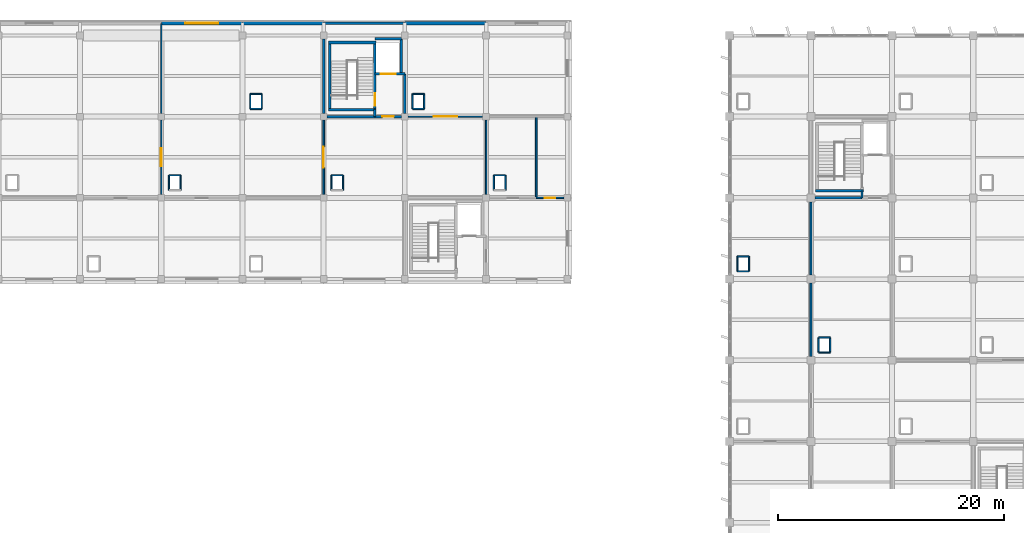
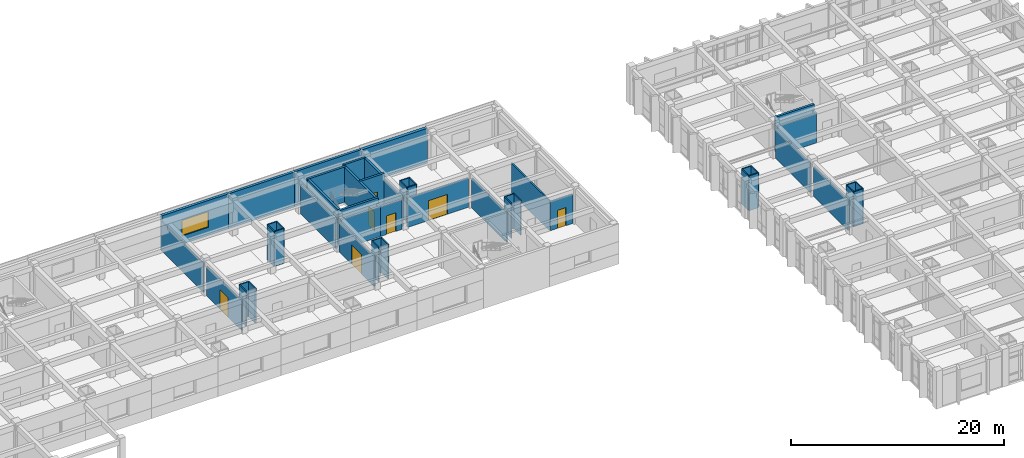
# One storey, part 58 of 70: 53 walls, 7 doors, 1 window, 8 openings.
"""IFC4 building model written with IfcOpenShell, lengths in metres."""

from ifc_helpers import new_model, si_unit, direction, frame, frame_2d, origin, place, context, subcontext, project, spatial, rectangle, extrude, material, layer, layer_set, type_object, element, fill, save


model = new_model("IFC4")

# Units and contexts
model_context = context("Model", 3, precision=1e-05, world=origin(), true_north=direction((0.0, 1.0)))
body_context = subcontext(model_context, "Body", "Model", "MODEL_VIEW")
ifc_project = project(units=[si_unit("LENGTHUNIT", "METRE"), si_unit("AREAUNIT", "SQUARE_METRE"), si_unit("VOLUMEUNIT", "CUBIC_METRE"), si_unit("PLANEANGLEUNIT", "RADIAN"), si_unit("MASSUNIT", "GRAM", prefix="KILO")], contexts=[model_context])

# Site, building, storey
site_placement = place(None, origin())
site = spatial("IfcSite", under=ifc_project, at=site_placement, CompositionType="ELEMENT")
building_placement = place(site_placement, origin())
building = spatial("IfcBuilding", under=site, at=building_placement, Name="Kavelor Marine Aquarium", CompositionType="ELEMENT")
storey_placement = place(building_placement, frame((0.0, 0.0, 9.179931640625)))
storey = spatial("IfcBuildingStorey", under=building, at=storey_placement, Name="L02", CompositionType="ELEMENT", Elevation=9.179931640625)

# Wall, opening, window
ifc_material_1 = material(Name="Concrete C40/50", Category="concrete")
ifc_layer_1 = layer(ifc_material_1, 0.300048828125)
ifc_layer_set_1 = layer_set([ifc_layer_1], Name="WL-EX3")
wall_type_1 = type_object("IfcWallType", Name="WL-EX3", PredefinedType="STANDARD", material=ifc_layer_set_1)
wall_1_placement = place(storey_placement, frame((68.0, 111.8798828125, 0.0), z_axis=(0.0, 0.0, 1.0), x_axis=(1.0, 0.0, 0.0)))
wall_1 = element("IfcWall", 1, at=wall_1_placement, inside=storey, type_object=wall_type_1, Name="ew:x:L02:09_15", PredefinedType="STANDARD", context=body_context, shape_type="SweptSolid", body=[
    extrude(rectangle(XDim=7.199951171875, YDim=0.300048828125, at=frame_2d((3.60009765625, 0.0))), origin(), (0.0, 0.0, 1.0), 4.030029296875),
])
opening_1_placement = place(wall_1_placement, frame((2.14990234375, 0.0, 0.949951171875)))
opening_1 = element("IfcOpeningElement", 2, at=opening_1_placement, cuts=wall_1, Name="Opening W19", PredefinedType="OPENING", context=body_context, shape_type="SweptSolid", body=[
    extrude(rectangle(XDim=2.89990234375, YDim=1.800048828125, at=frame_2d((1.449951171875, 0.89990234375))), frame((0.0, 0.159912109375, 0.0), z_axis=(0.0, -1.0, 0.0), x_axis=(1.0, 0.0, 0.0)), (0.0, 0.0, 1.0), 0.320049),
])
ifc_material_2 = material(Name="Anodised Aluminium Frame with Low-E Double Glazing", Category="aluminium")
window_type = type_object("IfcWindowType", Name="WIN-W19", PartitioningType="DOUBLE_PANEL_VERTICAL", PredefinedType="WINDOW", material=ifc_material_2)
window_placement = place(opening_1_placement, origin())
window = element("IfcWindow", 3, at=window_placement, inside=storey, type_object=window_type, Name="win:x:L02:09_15", OverallHeight=1.800048828125, OverallWidth=2.89990234375, PartitioningType="SINGLE_PANEL", PredefinedType="WINDOW", context=body_context, shape_type="SweptSolid", body=[
    extrude(rectangle(XDim=2.89990234375, YDim=1.800048828125, at=frame_2d((1.449951171875, 0.89990234375))), frame((0.0, 0.030029296875, 0.0), z_axis=(0.0, -1.0, 0.0), x_axis=(1.0, 0.0, 0.0)), (0.0, 0.0, 1.0), 0.06005859375),
])
fill(opening_1, window)

# Walls
ifc_material_3 = material(Name="Concrete C40/50", Category="concrete")
ifc_layer_2 = layer(ifc_material_3, 0.280029296875)
ifc_layer_set_2 = layer_set([ifc_layer_2], Name="WL-EX4")
wall_type_2 = type_object("IfcWallType", Name="WL-EX4", PredefinedType="STANDARD", material=ifc_layer_set_2)
wall_2_placement = place(storey_placement, frame((75.199951171875, 111.8798828125, 0.0), z_axis=(0.0, 0.0, 1.0), x_axis=(1.0, 0.0, 0.0)))
element("IfcWall", 4, at=wall_2_placement, inside=storey, type_object=wall_type_2, Name="ew:x:L02:10_15", PredefinedType="STANDARD", context=body_context, shape_type="SweptSolid", body=[
    extrude(rectangle(XDim=7.199951171875, YDim=0.280029296875, at=frame_2d((3.60009765625, 0.0))), origin(), (0.0, 0.0, 1.0), 4.010009765625),
])
ifc_material_4 = material(Name="Concrete C40/50", Category="concrete")
ifc_layer_3 = layer(ifc_material_4, 0.260009765625)
ifc_layer_set_3 = layer_set([ifc_layer_3], Name="WL-EX5")
wall_type_3 = type_object("IfcWallType", Name="WL-EX5", PredefinedType="STANDARD", material=ifc_layer_set_3)
wall_3_placement = place(storey_placement, frame((82.39990234375, 111.8798828125, 0.0), z_axis=(0.0, 0.0, 1.0), x_axis=(1.0, 0.0, 0.0)))
element("IfcWall", 5, at=wall_3_placement, inside=storey, type_object=wall_type_3, Name="ew:x:L02:11_15", PredefinedType="STANDARD", context=body_context, shape_type="SweptSolid", body=[
    extrude(rectangle(XDim=7.2001953125, YDim=0.260009765625, at=frame_2d((3.60009765625, 0.0))), origin(), (0.0, 0.0, 1.0), 4.030029296875),
])
ifc_material_5 = material(Name="Concrete C45/55", Category="concrete")
ifc_layer_4 = layer(ifc_material_5, 0.340087890625)
ifc_layer_set_4 = layer_set([ifc_layer_4], Name="WL-EX6")
wall_type_4 = type_object("IfcWallType", Name="WL-EX6", PredefinedType="STANDARD", material=ifc_layer_set_4)
wall_4_placement = place(storey_placement, frame((89.60009765625, 111.8798828125, 0.0), z_axis=(0.0, 0.0, 1.0), x_axis=(1.0, 0.0, 0.0)))
element("IfcWall", 6, at=wall_4_placement, inside=storey, type_object=wall_type_4, Name="ew:x:L02:12_15", PredefinedType="STANDARD", context=body_context, shape_type="SweptSolid", body=[
    extrude(rectangle(XDim=7.199951171875, YDim=0.340087890625, at=frame_2d((3.60009765625, 0.0))), origin(), (0.0, 0.0, 1.0), 4.010009765625),
])
ifc_material_6 = material(Name="Concrete Blockwork Partition", Category="masonry")
ifc_layer_5 = layer(ifc_material_6, 0.199951171875)
ifc_layer_set_5 = layer_set([ifc_layer_5], Name="WL-PT1")
wall_type_5 = type_object("IfcWallType", Name="WL-PT1", PredefinedType="PARTITIONING", material=ifc_layer_set_5)
wall_5_placement = place(storey_placement, frame((86.93994140625, 103.60009765625, 0.0), z_axis=(0.0, 0.0, 1.0), x_axis=(0.0, 1.0, 0.0)))
element("IfcWall", 7, at=wall_5_placement, inside=storey, type_object=wall_type_5, Name="pt:st_close:s:C06:L02", PredefinedType="PARTITIONING", context=body_context, shape_type="SweptSolid", body=[
    extrude(rectangle(XDim=0.619873046875, YDim=0.199951171875, at=frame_2d((0.31005859375, 0.0))), origin(), (0.0, 0.0, 1.0), 3.41015625),
])
wall_6_placement = place(storey_placement, frame((82.39990234375, 103.89990234375, 0.0), z_axis=(0.0, 0.0, 1.0), x_axis=(0.0, 1.0, 0.0)))
element("IfcWall", 8, at=wall_6_placement, inside=storey, type_object=wall_type_5, Name="pt:lob:C06:L02:w", PredefinedType="PARTITIONING", context=body_context, shape_type="SweptSolid", body=[
    extrude(rectangle(XDim=6.60009765625, YDim=0.199951171875, at=frame_2d((3.300048828125, 0.0))), origin(), (0.0, 0.0, 1.0), 3.360107421875),
])
wall_7_placement = place(storey_placement, frame((89.60009765625, 103.89990234375, 0.0), z_axis=(0.0, 0.0, 1.0), x_axis=(0.0, 1.0, 0.0)))
element("IfcWall", 9, at=wall_7_placement, inside=storey, type_object=wall_type_5, Name="pt:lob:C06:L02:e", PredefinedType="PARTITIONING", context=body_context, shape_type="SweptSolid", body=[
    extrude(rectangle(XDim=3.5, YDim=0.199951171875, at=frame_2d((1.75, 0.0))), origin(), (0.0, 0.0, 1.0), 3.360107421875),
])
wall_8_placement = place(storey_placement, frame((82.699951171875, 103.60009765625, 0.0), z_axis=(0.0, 0.0, 1.0), x_axis=(1.0, 0.0, 0.0)))
element("IfcWall", 10, at=wall_8_placement, inside=storey, type_object=wall_type_5, Name="pt:lob:C06:L02:s_st", PredefinedType="PARTITIONING", context=body_context, shape_type="SweptSolid", body=[
    extrude(rectangle(XDim=4.239990234375, YDim=0.199951171875, at=frame_2d((2.1201171875, 0.0))), origin(), (0.0, 0.0, 1.0), 3.41015625),
])

# Wall, opening, door
wall_9_placement = place(storey_placement, frame((86.93994140625, 103.60009765625, 0.0), z_axis=(0.0, 0.0, 1.0), x_axis=(1.0, 0.0, 0.0)))
wall_9 = element("IfcWall", 11, at=wall_9_placement, inside=storey, type_object=wall_type_5, Name="pt:lob:C06:L02:s", PredefinedType="PARTITIONING", context=body_context, shape_type="SweptSolid", body=[
    extrude(rectangle(XDim=2.360107421875, YDim=0.199951171875, at=frame_2d((1.18017578125, 0.0))), origin(), (0.0, 0.0, 1.0), 3.41015625),
])
opening_2_placement = place(wall_9_placement, frame((0.669921875, 0.0, 0.0)))
opening_2 = element("IfcOpeningElement", 12, at=opening_2_placement, cuts=wall_9, Name="Opening SD1", PredefinedType="OPENING", context=body_context, shape_type="SweptSolid", body=[
    extrude(rectangle(XDim=1.02001953125, YDim=2.14990234375, at=frame_2d((0.510009765625, 1.074951171875))), frame((0.0, 0.10986328125, 0.0), z_axis=(0.0, -1.0, 0.0), x_axis=(1.0, 0.0, 0.0)), (0.0, 0.0, 1.0), 0.219951),
])
ifc_material_7 = material(Name="Fire-Rated Corridor Compartment Door")
door_type_1 = type_object("IfcDoorType", Name="DR-SD1", OperationType="NOTDEFINED", PredefinedType="DOOR", material=ifc_material_7)
door_1_placement = place(opening_2_placement, origin())
door_1 = element("IfcDoor", 13, at=door_1_placement, inside=storey, type_object=door_type_1, Name="Core Lobby Fire Door C06-L02", OperationType="SINGLE_SWING_RIGHT", OverallHeight=2.14990234375, OverallWidth=1.02001953125, PredefinedType="DOOR", context=body_context, shape_type="SweptSolid", body=[
    extrude(rectangle(XDim=1.02001953125, YDim=2.14990234375, at=frame_2d((0.510009765625, 1.074951171875))), frame((0.0, 0.02490234375, 0.0), z_axis=(0.0, -1.0, 0.0), x_axis=(1.0, 0.0, 0.0)), (0.0, 0.0, 1.0), 0.050048828125),
])
fill(opening_2, door_1)

# Walls
wall_10_placement = place(storey_placement, frame((130.139892578125, 96.39990234375, 0.0), z_axis=(0.0, 0.0, 1.0), x_axis=(0.0, 1.0, 0.0)))
element("IfcWall", 14, at=wall_10_placement, inside=storey, type_object=wall_type_5, Name="pt:st_close:s:C10:L02", PredefinedType="PARTITIONING", context=body_context, shape_type="SweptSolid", body=[
    extrude(rectangle(XDim=0.6201171875, YDim=0.199951171875, at=frame_2d((0.31005859375, 0.0))), origin(), (0.0, 0.0, 1.0), 3.360107421875),
])
wall_11_placement = place(storey_placement, frame((125.949951171875, 96.39990234375, 0.0), z_axis=(0.0, 0.0, 1.0), x_axis=(1.0, 0.0, 0.0)))
element("IfcWall", 15, at=wall_11_placement, inside=storey, type_object=wall_type_5, Name="pt:lob:C10:L02:s_st", PredefinedType="PARTITIONING", context=body_context, shape_type="SweptSolid", body=[
    extrude(rectangle(XDim=4.18994140625, YDim=0.199951171875, at=frame_2d((2.094970703125, 0.0))), origin(), (0.0, 0.0, 1.0), 3.360107421875),
])

# Wall, opening, door
ifc_material_8 = material(Name="Acoustic Gypsum Stud Partition")
ifc_layer_6 = layer(ifc_material_8, 0.159912109375)
ifc_layer_set_6 = layer_set([ifc_layer_6], Name="WL-PT2")
wall_type_6 = type_object("IfcWallType", Name="WL-PT2", PredefinedType="PARTITIONING", material=ifc_layer_set_6)
wall_12_placement = place(storey_placement, frame((82.39990234375, 96.699951171875, 0.0), z_axis=(0.0, 0.0, 1.0), x_axis=(0.0, 1.0, 0.0)))
wall_12 = element("IfcWall", 16, at=wall_12_placement, inside=storey, type_object=wall_type_6, Name="pt:y:L02:10_13", PredefinedType="PARTITIONING", context=body_context, shape_type="SweptSolid", body=[
    extrude(rectangle(XDim=6.60009765625, YDim=0.159912109375, at=frame_2d((3.300048828125, 0.0))), origin(), (0.0, 0.0, 1.0), 3.41015625),
])
opening_3_placement = place(wall_12_placement, frame((2.3701171875, 0.0, 0.0)))
opening_3 = element("IfcOpeningElement", 17, at=opening_3_placement, cuts=wall_12, Name="Opening D13", PredefinedType="OPENING", context=body_context, shape_type="SweptSolid", body=[
    extrude(rectangle(XDim=1.860107421875, YDim=2.260009765625, at=frame_2d((0.93017578125, 1.1298828125))), frame((0.0, 0.08984375, 0.0), z_axis=(0.0, -1.0, 0.0), x_axis=(1.0, 0.0, 0.0)), (0.0, 0.0, 1.0), 0.179912),
])
ifc_material_9 = material(Name="Main Foyer Exhibition Double Door")
door_type_2 = type_object("IfcDoorType", Name="DR-D13", OperationType="NOTDEFINED", PredefinedType="DOOR", material=ifc_material_9)
door_2_placement = place(opening_3_placement, origin())
door_2 = element("IfcDoor", 18, at=door_2_placement, inside=storey, type_object=door_type_2, Name="dr:rm:pt:y:L02:10_13:1", OperationType="DOUBLE_DOOR_SINGLE_SWING", OverallHeight=2.260009765625, OverallWidth=1.860107421875, PredefinedType="DOOR", context=body_context, shape_type="SweptSolid", body=[
    extrude(rectangle(XDim=1.860107421875, YDim=2.260009765625, at=frame_2d((0.93017578125, 1.1298828125))), frame((0.0, 0.02490234375, 0.0), z_axis=(0.0, -1.0, 0.0), x_axis=(1.0, 0.0, 0.0)), (0.0, 0.0, 1.0), 0.050048828125),
])
fill(opening_3, door_2)

wall_13_placement = place(storey_placement, frame((89.89990234375, 103.60009765625, 0.0), z_axis=(0.0, 0.0, 1.0), x_axis=(1.0, 0.0, 0.0)))
wall_13 = element("IfcWall", 19, at=wall_13_placement, inside=storey, type_object=wall_type_6, Name="pt:x:L02:12_13", PredefinedType="PARTITIONING", context=body_context, shape_type="SweptSolid", body=[
    extrude(rectangle(XDim=6.60009765625, YDim=0.159912109375, at=frame_2d((3.300048828125, 0.0))), origin(), (0.0, 0.0, 1.0), 3.360107421875),
])
opening_4_placement = place(wall_13_placement, frame((2.27001953125, 0.0, 0.0)))
opening_4 = element("IfcOpeningElement", 20, at=opening_4_placement, cuts=wall_13, Name="Opening D14", PredefinedType="OPENING", context=body_context, shape_type="SweptSolid", body=[
    extrude(rectangle(XDim=2.06005859375, YDim=2.280029296875, at=frame_2d((1.030029296875, 1.14013671875))), frame((0.0, 0.08984375, 0.0), z_axis=(0.0, -1.0, 0.0), x_axis=(1.0, 0.0, 0.0)), (0.0, 0.0, 1.0), 0.179912),
])
ifc_material_10 = material(Name="LSS Filtration Equipment Double Door")
door_type_3 = type_object("IfcDoorType", Name="DR-D14", OperationType="NOTDEFINED", PredefinedType="DOOR", material=ifc_material_10)
door_3_placement = place(opening_4_placement, origin())
door_3 = element("IfcDoor", 21, at=door_3_placement, inside=storey, type_object=door_type_3, Name="dr:rm:pt:x:L02:12_13:0", OperationType="DOUBLE_DOOR_SINGLE_SWING", OverallHeight=2.280029296875, OverallWidth=2.06005859375, PredefinedType="DOOR", context=body_context, shape_type="SweptSolid", body=[
    extrude(rectangle(XDim=2.06005859375, YDim=2.280029296875, at=frame_2d((1.030029296875, 1.14013671875))), frame((0.0, 0.02490234375, 0.0), z_axis=(0.0, -1.0, 0.0), x_axis=(1.0, 0.0, 0.0)), (0.0, 0.0, 1.0), 0.050048828125),
])
fill(opening_4, door_3)

# Walls
wall_14_placement = place(storey_placement, frame((125.60009765625, 82.35009765625, 0.0), z_axis=(0.0, 0.0, 1.0), x_axis=(0.0, 1.0, 0.0)))
element("IfcWall", 22, at=wall_14_placement, inside=storey, type_object=wall_type_6, Name="pt:y:L02:16_11", PredefinedType="PARTITIONING", context=body_context, shape_type="SweptSolid", body=[
    extrude(rectangle(XDim=6.5, YDim=0.159912109375, at=frame_2d((3.25, 0.0))), origin(), (0.0, 0.0, 1.0), 3.41015625),
])
wall_15_placement = place(storey_placement, frame((125.60009765625, 89.550048828125, 0.0), z_axis=(0.0, 0.0, 1.0), x_axis=(0.0, 1.0, 0.0)))
element("IfcWall", 23, at=wall_15_placement, inside=storey, type_object=wall_type_6, Name="pt:y:L02:16_12", PredefinedType="PARTITIONING", context=body_context, shape_type="SweptSolid", body=[
    extrude(rectangle(XDim=6.5, YDim=0.159912109375, at=frame_2d((3.25, 0.0))), origin(), (0.0, 0.0, 1.0), 3.360107421875),
])
ifc_material_11 = material(Name="Moisture-Resistant Marine Partition")
ifc_layer_7 = layer(ifc_material_11, 0.139892578125)
ifc_layer_set_7 = layer_set([ifc_layer_7], Name="WL-PT3")
wall_type_7 = type_object("IfcWallType", Name="WL-PT3", PredefinedType="PARTITIONING", material=ifc_layer_set_7)
wall_16_placement = place(storey_placement, frame((101.25, 96.39990234375, 0.0), z_axis=(0.0, 0.0, 1.0), x_axis=(0.0, 1.0, 0.0)))
element("IfcWall", 24, at=wall_16_placement, inside=storey, type_object=wall_type_7, Name="pt:san:div:L02:13_13", PredefinedType="PARTITIONING", context=body_context, shape_type="SweptSolid", body=[
    extrude(rectangle(XDim=7.2001953125, YDim=0.139892578125, at=frame_2d((3.60009765625, 0.0))), origin(), (0.0, 0.0, 1.0), 3.440185546875),
])

# Wall, opening, door
wall_17_placement = place(storey_placement, frame((101.25, 96.39990234375, 0.0), z_axis=(0.0, 0.0, 1.0), x_axis=(1.0, 0.0, 0.0)))
wall_17 = element("IfcWall", 25, at=wall_17_placement, inside=storey, type_object=wall_type_7, Name="pt:san:f2:L02:13_13", PredefinedType="PARTITIONING", context=body_context, shape_type="SweptSolid", body=[
    extrude(rectangle(XDim=2.449951171875, YDim=0.139892578125, at=frame_2d((1.22509765625, 0.0))), origin(), (0.0, 0.0, 1.0), 3.360107421875),
])
opening_5_placement = place(wall_17_placement, frame((0.764892578125, 0.0, 0.0)))
opening_5 = element("IfcOpeningElement", 26, at=opening_5_placement, cuts=wall_17, Name="Opening D02", PredefinedType="OPENING", context=body_context, shape_type="SweptSolid", body=[
    extrude(rectangle(XDim=0.919921875, YDim=2.080078125, at=frame_2d((0.4599609375, 1.0400390625))), frame((0.0, 0.079833984375, 0.0), z_axis=(0.0, -1.0, 0.0), x_axis=(1.0, 0.0, 0.0)), (0.0, 0.0, 1.0), 0.159893),
])
ifc_material_12 = material(Name="Moisture-Resistant Laminate Sanitary Door")
door_type_4 = type_object("IfcDoorType", Name="DR-D02", OperationType="NOTDEFINED", PredefinedType="DOOR", material=ifc_material_12)
door_4_placement = place(opening_5_placement, origin())
door_4 = element("IfcDoor", 27, at=door_4_placement, inside=storey, type_object=door_type_4, Name="dr:awc:L02:13_13", OperationType="SINGLE_SWING_RIGHT", OverallHeight=2.080078125, OverallWidth=0.919921875, PredefinedType="DOOR", context=body_context, shape_type="SweptSolid", body=[
    extrude(rectangle(XDim=0.919921875, YDim=2.080078125, at=frame_2d((0.4599609375, 1.0400390625))), frame((0.0, 0.02490234375, 0.0), z_axis=(0.0, -1.0, 0.0), x_axis=(1.0, 0.0, 0.0)), (0.0, 0.0, 1.0), 0.050048828125),
])
fill(opening_5, door_4)

# Walls
wall_18_placement = place(storey_placement, frame((96.800048828125, 96.699951171875, 0.0), z_axis=(0.0, 0.0, 1.0), x_axis=(0.0, 1.0, 0.0)))
element("IfcWall", 28, at=wall_18_placement, inside=storey, type_object=wall_type_7, Name="pt:san:enc_w:L02:13_13", PredefinedType="PARTITIONING", context=body_context, shape_type="SweptSolid", body=[
    extrude(rectangle(XDim=6.60009765625, YDim=0.139892578125, at=frame_2d((3.300048828125, 0.0))), origin(), (0.0, 0.0, 1.0), 3.41015625),
])
ifc_material_13 = material(Name="Lightweight Drywall Partition")
ifc_layer_8 = layer(ifc_material_13, 0.1201171875)
ifc_layer_set_8 = layer_set([ifc_layer_8], Name="WL-PT4")
wall_type_8 = type_object("IfcWallType", Name="WL-PT4", PredefinedType="PARTITIONING", material=ifc_layer_set_8)
wall_19_placement = place(storey_placement, frame((68.68994140625, 98.409912109375, 0.0), z_axis=(0.0, 0.0, 1.0), x_axis=(1.0, 0.0, 0.0)))
element("IfcWall", 29, at=wall_19_placement, inside=storey, type_object=wall_type_8, Name="riser:n:L02:09_13", PredefinedType="PARTITIONING", context=body_context, shape_type="SweptSolid", body=[
    extrude(rectangle(XDim=1.02001953125, YDim=0.1201171875, at=frame_2d((0.510009765625, 0.0))), origin(), (0.0, 0.0, 1.0), 4.0),
])
for number, where, z_axis, x_axis, name in (
    (30, (68.68994140625, 97.090087890625, 0.0), (0.0, 0.0, 1.0), (0.0, 1.0, 0.0), "riser:w:L02:09_13"),
    (31, (69.7099609375, 97.090087890625, 0.0), (0.0, 0.0, 1.0), (0.0, 1.0, 0.0), "riser:e:L02:09_13"),
):
    element("IfcWall", number, at=place(storey_placement, frame(where, z_axis=z_axis, x_axis=x_axis)), inside=storey, type_object=wall_type_8, Name=name, PredefinedType="PARTITIONING", context=body_context, shape_type="SweptSolid", body=[
        extrude(rectangle(XDim=1.31982421875, YDim=0.1201171875, at=frame_2d((0.659912109375, 0.0))), origin(), (0.0, 0.0, 1.0), 4.0),
    ])
for number, where, z_axis, x_axis, name in (
    (32, (75.889892578125, 104.2900390625, 0.0), (0.0, 0.0, 1.0), (1.0, 0.0, 0.0), "riser:s:L02:10_14"),
    (33, (75.889892578125, 105.610107421875, 0.0), (0.0, 0.0, 1.0), (1.0, 0.0, 0.0), "riser:n:L02:10_14"),
):
    element("IfcWall", number, at=place(storey_placement, frame(where, z_axis=z_axis, x_axis=x_axis)), inside=storey, type_object=wall_type_8, Name=name, PredefinedType="PARTITIONING", context=body_context, shape_type="SweptSolid", body=[
        extrude(rectangle(XDim=1.02001953125, YDim=0.1201171875, at=frame_2d((0.510009765625, 0.0))), origin(), (0.0, 0.0, 1.0), 4.0),
    ])
for number, where, z_axis, x_axis, name in (
    (34, (75.889892578125, 104.2900390625, 0.0), (0.0, 0.0, 1.0), (0.0, 1.0, 0.0), "riser:w:L02:10_14"),
    (35, (76.909912109375, 104.2900390625, 0.0), (0.0, 0.0, 1.0), (0.0, 1.0, 0.0), "riser:e:L02:10_14"),
):
    element("IfcWall", number, at=place(storey_placement, frame(where, z_axis=z_axis, x_axis=x_axis)), inside=storey, type_object=wall_type_8, Name=name, PredefinedType="PARTITIONING", context=body_context, shape_type="SweptSolid", body=[
        extrude(rectangle(XDim=1.320068359375, YDim=0.1201171875, at=frame_2d((0.66015625, 0.0))), origin(), (0.0, 0.0, 1.0), 4.0),
    ])
wall_20_placement = place(storey_placement, frame((83.090087890625, 98.409912109375, 0.0), z_axis=(0.0, 0.0, 1.0), x_axis=(1.0, 0.0, 0.0)))
element("IfcWall", 36, at=wall_20_placement, inside=storey, type_object=wall_type_8, Name="riser:n:L02:11_13", PredefinedType="PARTITIONING", context=body_context, shape_type="SweptSolid", body=[
    extrude(rectangle(XDim=1.02001953125, YDim=0.1201171875, at=frame_2d((0.510009765625, 0.0))), origin(), (0.0, 0.0, 1.0), 4.0),
])
for number, where, z_axis, x_axis, name in (
    (37, (83.090087890625, 97.090087890625, 0.0), (0.0, 0.0, 1.0), (0.0, 1.0, 0.0), "riser:w:L02:11_13"),
    (38, (84.110107421875, 97.090087890625, 0.0), (0.0, 0.0, 1.0), (0.0, 1.0, 0.0), "riser:e:L02:11_13"),
):
    element("IfcWall", number, at=place(storey_placement, frame(where, z_axis=z_axis, x_axis=x_axis)), inside=storey, type_object=wall_type_8, Name=name, PredefinedType="PARTITIONING", context=body_context, shape_type="SweptSolid", body=[
        extrude(rectangle(XDim=1.31982421875, YDim=0.1201171875, at=frame_2d((0.659912109375, 0.0))), origin(), (0.0, 0.0, 1.0), 4.0),
    ])
for number, where, z_axis, x_axis, name in (
    (39, (90.2900390625, 104.2900390625, 0.0), (0.0, 0.0, 1.0), (1.0, 0.0, 0.0), "riser:s:L02:12_14"),
    (40, (90.2900390625, 105.610107421875, 0.0), (0.0, 0.0, 1.0), (1.0, 0.0, 0.0), "riser:n:L02:12_14"),
):
    element("IfcWall", number, at=place(storey_placement, frame(where, z_axis=z_axis, x_axis=x_axis)), inside=storey, type_object=wall_type_8, Name=name, PredefinedType="PARTITIONING", context=body_context, shape_type="SweptSolid", body=[
        extrude(rectangle(XDim=1.02001953125, YDim=0.1201171875, at=frame_2d((0.510009765625, 0.0))), origin(), (0.0, 0.0, 1.0), 4.0),
    ])
for number, where, z_axis, x_axis, name in (
    (41, (90.2900390625, 104.2900390625, 0.0), (0.0, 0.0, 1.0), (0.0, 1.0, 0.0), "riser:w:L02:12_14"),
    (42, (91.31005859375, 104.2900390625, 0.0), (0.0, 0.0, 1.0), (0.0, 1.0, 0.0), "riser:e:L02:12_14"),
):
    element("IfcWall", number, at=place(storey_placement, frame(where, z_axis=z_axis, x_axis=x_axis)), inside=storey, type_object=wall_type_8, Name=name, PredefinedType="PARTITIONING", context=body_context, shape_type="SweptSolid", body=[
        extrude(rectangle(XDim=1.320068359375, YDim=0.1201171875, at=frame_2d((0.66015625, 0.0))), origin(), (0.0, 0.0, 1.0), 4.0),
    ])
wall_21_placement = place(storey_placement, frame((97.489990234375, 98.409912109375, 0.0), z_axis=(0.0, 0.0, 1.0), x_axis=(1.0, 0.0, 0.0)))
element("IfcWall", 43, at=wall_21_placement, inside=storey, type_object=wall_type_8, Name="riser:n:L02:13_13", PredefinedType="PARTITIONING", context=body_context, shape_type="SweptSolid", body=[
    extrude(rectangle(XDim=1.02001953125, YDim=0.1201171875, at=frame_2d((0.510009765625, 0.0))), origin(), (0.0, 0.0, 1.0), 4.0),
])
for number, where, z_axis, x_axis, name in (
    (44, (97.489990234375, 97.090087890625, 0.0), (0.0, 0.0, 1.0), (0.0, 1.0, 0.0), "riser:w:L02:13_13"),
    (45, (98.510009765625, 97.090087890625, 0.0), (0.0, 0.0, 1.0), (0.0, 1.0, 0.0), "riser:e:L02:13_13"),
):
    element("IfcWall", number, at=place(storey_placement, frame(where, z_axis=z_axis, x_axis=x_axis)), inside=storey, type_object=wall_type_8, Name=name, PredefinedType="PARTITIONING", context=body_context, shape_type="SweptSolid", body=[
        extrude(rectangle(XDim=1.31982421875, YDim=0.1201171875, at=frame_2d((0.659912109375, 0.0))), origin(), (0.0, 0.0, 1.0), 4.0),
    ])
for number, where, z_axis, x_axis, name in (
    (46, (119.090087890625, 89.889892578125, 0.0), (0.0, 0.0, 1.0), (1.0, 0.0, 0.0), "riser:s:L02:16_12"),
    (47, (119.090087890625, 91.2099609375, 0.0), (0.0, 0.0, 1.0), (1.0, 0.0, 0.0), "riser:n:L02:16_12"),
):
    element("IfcWall", number, at=place(storey_placement, frame(where, z_axis=z_axis, x_axis=x_axis)), inside=storey, type_object=wall_type_8, Name=name, PredefinedType="PARTITIONING", context=body_context, shape_type="SweptSolid", body=[
        extrude(rectangle(XDim=1.02001953125, YDim=0.1201171875, at=frame_2d((0.510009765625, 0.0))), origin(), (0.0, 0.0, 1.0), 4.0),
    ])
for number, where, z_axis, x_axis, name in (
    (48, (119.090087890625, 89.889892578125, 0.0), (0.0, 0.0, 1.0), (0.0, 1.0, 0.0), "riser:w:L02:16_12"),
    (49, (120.110107421875, 89.889892578125, 0.0), (0.0, 0.0, 1.0), (0.0, 1.0, 0.0), "riser:e:L02:16_12"),
):
    element("IfcWall", number, at=place(storey_placement, frame(where, z_axis=z_axis, x_axis=x_axis)), inside=storey, type_object=wall_type_8, Name=name, PredefinedType="PARTITIONING", context=body_context, shape_type="SweptSolid", body=[
        extrude(rectangle(XDim=1.320068359375, YDim=0.1201171875, at=frame_2d((0.66015625, 0.0))), origin(), (0.0, 0.0, 1.0), 4.0),
    ])
for number, where, z_axis, x_axis, name in (
    (50, (126.2900390625, 82.68994140625, 0.0), (0.0, 0.0, 1.0), (1.0, 0.0, 0.0), "riser:s:L02:17_11"),
    (51, (126.2900390625, 84.010009765625, 0.0), (0.0, 0.0, 1.0), (1.0, 0.0, 0.0), "riser:n:L02:17_11"),
):
    element("IfcWall", number, at=place(storey_placement, frame(where, z_axis=z_axis, x_axis=x_axis)), inside=storey, type_object=wall_type_8, Name=name, PredefinedType="PARTITIONING", context=body_context, shape_type="SweptSolid", body=[
        extrude(rectangle(XDim=1.02001953125, YDim=0.1201171875, at=frame_2d((0.510009765625, 0.0))), origin(), (0.0, 0.0, 1.0), 4.0),
    ])
for number, where, z_axis, x_axis, name in (
    (52, (126.2900390625, 82.68994140625, 0.0), (0.0, 0.0, 1.0), (0.0, 1.0, 0.0), "riser:w:L02:17_11"),
    (53, (127.31005859375, 82.68994140625, 0.0), (0.0, 0.0, 1.0), (0.0, 1.0, 0.0), "riser:e:L02:17_11"),
):
    element("IfcWall", number, at=place(storey_placement, frame(where, z_axis=z_axis, x_axis=x_axis)), inside=storey, type_object=wall_type_8, Name=name, PredefinedType="PARTITIONING", context=body_context, shape_type="SweptSolid", body=[
        extrude(rectangle(XDim=1.320068359375, YDim=0.1201171875, at=frame_2d((0.66015625, 0.0))), origin(), (0.0, 0.0, 1.0), 4.0),
    ])

# Wall, opening, door
wall_22_placement = place(storey_placement, frame((68.0, 96.699951171875, 0.0), z_axis=(0.0, 0.0, 1.0), x_axis=(0.0, 1.0, 0.0)))
wall_22 = element("IfcWall", 54, at=wall_22_placement, inside=storey, type_object=wall_type_8, Name="pt:y:L02:08_13", PredefinedType="PARTITIONING", context=body_context, shape_type="SweptSolid", body=[
    extrude(rectangle(XDim=6.60009765625, YDim=0.1201171875, at=frame_2d((3.300048828125, 0.0))), origin(), (0.0, 0.0, 1.0), 3.41015625),
])
opening_6_placement = place(wall_22_placement, frame((2.52001953125, 0.0, 0.0)))
opening_6 = element("IfcOpeningElement", 55, at=opening_6_placement, cuts=wall_22, Name="Opening D03", PredefinedType="OPENING", context=body_context, shape_type="SweptSolid", body=[
    extrude(rectangle(XDim=1.56005859375, YDim=2.199951171875, at=frame_2d((0.780029296875, 1.10009765625))), frame((0.0, 0.070068359375, 0.0), z_axis=(0.0, -1.0, 0.0), x_axis=(1.0, 0.0, 0.0)), (0.0, 0.0, 1.0), 0.140117),
])
ifc_material_14 = material(Name="Glazed Aluminium Gallery Double Door", Category="aluminium")
door_type_5 = type_object("IfcDoorType", Name="DR-D03", OperationType="NOTDEFINED", PredefinedType="DOOR", material=ifc_material_14)
door_5_placement = place(opening_6_placement, origin())
door_5 = element("IfcDoor", 56, at=door_5_placement, inside=storey, type_object=door_type_5, Name="dr:rm:pt:y:L02:08_13:0", OperationType="DOUBLE_DOOR_SINGLE_SWING", OverallHeight=2.199951171875, OverallWidth=1.56005859375, PredefinedType="DOOR", context=body_context, shape_type="SweptSolid", body=[
    extrude(rectangle(XDim=1.56005859375, YDim=2.199951171875, at=frame_2d((0.780029296875, 1.10009765625))), frame((0.0, 0.02490234375, 0.0), z_axis=(0.0, -1.0, 0.0), x_axis=(1.0, 0.0, 0.0)), (0.0, 0.0, 1.0), 0.050048828125),
])
fill(opening_6, door_5)

# Walls
wall_23_placement = place(storey_placement, frame((68.0, 103.89990234375, 0.0), z_axis=(0.0, 0.0, 1.0), x_axis=(0.0, 1.0, 0.0)))
element("IfcWall", 57, at=wall_23_placement, inside=storey, type_object=wall_type_8, Name="pt:y:L02:08_14", PredefinedType="PARTITIONING", context=body_context, shape_type="SweptSolid", body=[
    extrude(rectangle(XDim=7.920166015625, YDim=0.1201171875, at=frame_2d((3.9599609375, 0.0))), origin(), (0.0, 0.0, 1.0), 3.360107421875),
])
ifc_material_15 = material(Name="Concrete C40/50", Category="concrete")
ifc_layer_9 = layer(ifc_material_15, 0.35009765625)
ifc_layer_set_9 = layer_set([ifc_layer_9], Name="WL-SW2")
wall_type_9 = type_object("IfcWallType", Name="WL-SW2", PredefinedType="SHEAR", material=ifc_layer_set_9)
for number, where, z_axis, x_axis, name in (
    (58, (82.820068359375, 104.219970703125, 0.0), (0.0, 0.0, 1.0), (1.0, 0.0, 0.0), "cw_st:s:C06:L02"),
    (59, (82.820068359375, 110.179931640625, 0.0), (0.0, 0.0, 1.0), (1.0, 0.0, 0.0), "cw_st:n:C06:L02"),
):
    element("IfcWall", number, at=place(storey_placement, frame(where, z_axis=z_axis, x_axis=x_axis)), inside=storey, type_object=wall_type_9, Name=name, PredefinedType="SHEAR", context=body_context, shape_type="SweptSolid", body=[
        extrude(rectangle(XDim=4.239990234375, YDim=0.239990234375, at=frame_2d((2.1201171875, 0.0))), origin(), (0.0, 0.0, 1.0), 4.0400390625),
    ])
wall_24_placement = place(storey_placement, frame((82.93994140625, 104.340087890625, 0.0), z_axis=(0.0, 0.0, 1.0), x_axis=(0.0, 1.0, 0.0)))
element("IfcWall", 60, at=wall_24_placement, inside=storey, type_object=wall_type_9, Name="cw_st:w:C06:L02", PredefinedType="SHEAR", context=body_context, shape_type="SweptSolid", body=[
    extrude(rectangle(XDim=5.719970703125, YDim=0.239990234375, at=frame_2d((2.85986328125, 0.0))), origin(), (0.0, 0.0, 1.0), 4.0400390625),
])

# Wall, opening, door
wall_25_placement = place(storey_placement, frame((86.93994140625, 104.340087890625, 0.0), z_axis=(0.0, 0.0, 1.0), x_axis=(0.0, 1.0, 0.0)))
wall_25 = element("IfcWall", 61, at=wall_25_placement, inside=storey, type_object=wall_type_9, Name="cw_st:e:C06:L02", PredefinedType="SHEAR", context=body_context, shape_type="SweptSolid", body=[
    extrude(rectangle(XDim=5.719970703125, YDim=0.239990234375, at=frame_2d((2.85986328125, 0.0))), origin(), (0.0, 0.0, 1.0), 4.0400390625),
])
opening_7_placement = place(wall_25_placement, frame((0.219970703125, 0.0, 0.0)))
opening_7 = element("IfcOpeningElement", 62, at=opening_7_placement, cuts=wall_25, Name="Opening FD1", PredefinedType="OPENING", context=body_context, shape_type="SweptSolid", body=[
    extrude(rectangle(XDim=1.1201171875, YDim=2.14990234375, at=frame_2d((0.56005859375, 1.074951171875))), frame((0.0, 0.1298828125, 0.0), z_axis=(0.0, -1.0, 0.0), x_axis=(1.0, 0.0, 0.0)), (0.0, 0.0, 1.0), 0.25999),
])
ifc_material_16 = material(Name="Fire-Rated Steel Stair and Core Door", Category="steel")
door_type_6 = type_object("IfcDoorType", Name="DR-FD1", OperationType="NOTDEFINED", PredefinedType="DOOR", material=ifc_material_16)
door_6_placement = place(opening_7_placement, origin())
door_6 = element("IfcDoor", 63, at=door_6_placement, inside=storey, type_object=door_type_6, Name="Stair Fire Door ST06-L02", OperationType="SINGLE_SWING_LEFT", OverallHeight=2.14990234375, OverallWidth=1.1201171875, PredefinedType="DOOR", context=body_context, shape_type="SweptSolid", body=[
    extrude(rectangle(XDim=1.1201171875, YDim=2.14990234375, at=frame_2d((0.56005859375, 1.074951171875))), frame((0.0, 0.02490234375, 0.0), z_axis=(0.0, -1.0, 0.0), x_axis=(1.0, 0.0, 0.0)), (0.0, 0.0, 1.0), 0.050048828125),
])
fill(opening_7, door_6)

wall_26_placement = place(storey_placement, frame((86.93994140625, 107.39990234375, 0.0), z_axis=(0.0, 0.0, 1.0), x_axis=(1.0, 0.0, 0.0)))
wall_26 = element("IfcWall", 64, at=wall_26_placement, inside=storey, type_object=wall_type_9, Name="cw_lf:s:C06:L02", PredefinedType="SHEAR", context=body_context, shape_type="SweptSolid", body=[
    extrude(rectangle(XDim=2.66015625, YDim=0.219970703125, at=frame_2d((1.330078125, 0.0))), origin(), (0.0, 0.0, 1.0), 4.0400390625),
])
opening_8_placement = place(wall_26_placement, frame((0.510009765625, 0.0, 0.0)))
opening_8 = element("IfcOpeningElement", 65, at=opening_8_placement, cuts=wall_26, Name="Opening LD2", PredefinedType="OPENING", context=body_context, shape_type="SweptSolid", body=[
    extrude(rectangle(XDim=1.340087890625, YDim=2.14990234375, at=frame_2d((0.669921875, 1.074951171875))), frame((0.0, 0.119873046875, 0.0), z_axis=(0.0, -1.0, 0.0), x_axis=(1.0, 0.0, 0.0)), (0.0, 0.0, 1.0), 0.239971),
])
ifc_material_17 = material(Name="Stainless Steel Goods and Stretcher Lift Sliding Door", Category="steel")
door_type_7 = type_object("IfcDoorType", Name="DR-LD2", OperationType="NOTDEFINED", PredefinedType="DOOR", material=ifc_material_17)
door_7_placement = place(opening_8_placement, origin())
door_7 = element("IfcDoor", 66, at=door_7_placement, inside=storey, type_object=door_type_7, Name="Lift Landing Sliding Door FL1-L02", OperationType="DOUBLE_DOOR_SLIDING", OverallHeight=2.14990234375, OverallWidth=1.340087890625, PredefinedType="DOOR", context=body_context, shape_type="SweptSolid", body=[
    extrude(rectangle(XDim=1.340087890625, YDim=2.14990234375, at=frame_2d((0.669921875, 1.074951171875))), frame((0.0, 0.02490234375, 0.0), z_axis=(0.0, -1.0, 0.0), x_axis=(1.0, 0.0, 0.0)), (0.0, 0.0, 1.0), 0.050048828125),
])
fill(opening_8, door_7)

# Walls
wall_27_placement = place(storey_placement, frame((86.93994140625, 110.5, 0.0), z_axis=(0.0, 0.0, 1.0), x_axis=(1.0, 0.0, 0.0)))
element("IfcWall", 67, at=wall_27_placement, inside=storey, type_object=wall_type_9, Name="cw_lf:n:C06:L02", PredefinedType="SHEAR", context=body_context, shape_type="SweptSolid", body=[
    extrude(rectangle(XDim=2.360107421875, YDim=0.219970703125, at=frame_2d((1.18017578125, 0.0))), origin(), (0.0, 0.0, 1.0), 4.0400390625),
])
wall_28_placement = place(storey_placement, frame((89.300048828125, 107.39990234375, 0.0), z_axis=(0.0, 0.0, 1.0), x_axis=(0.0, 1.0, 0.0)))
element("IfcWall", 68, at=wall_28_placement, inside=storey, type_object=wall_type_9, Name="cw_lf:e:C06:L02", PredefinedType="SHEAR", context=body_context, shape_type="SweptSolid", body=[
    extrude(rectangle(XDim=3.10009765625, YDim=0.219970703125, at=frame_2d((1.550048828125, 0.0))), origin(), (0.0, 0.0, 1.0), 4.0400390625),
])
wall_29_placement = place(storey_placement, frame((126.02001953125, 97.02001953125, 0.0), z_axis=(0.0, 0.0, 1.0), x_axis=(1.0, 0.0, 0.0)))
element("IfcWall", 69, at=wall_29_placement, inside=storey, type_object=wall_type_9, Name="cw_st:s:C10:L02", PredefinedType="SHEAR", context=body_context, shape_type="SweptSolid", body=[
    extrude(rectangle(XDim=4.239990234375, YDim=0.239990234375, at=frame_2d((2.1201171875, 0.0))), origin(), (0.0, 0.0, 1.0), 4.02001953125),
])

save(model, "model.ifc")
